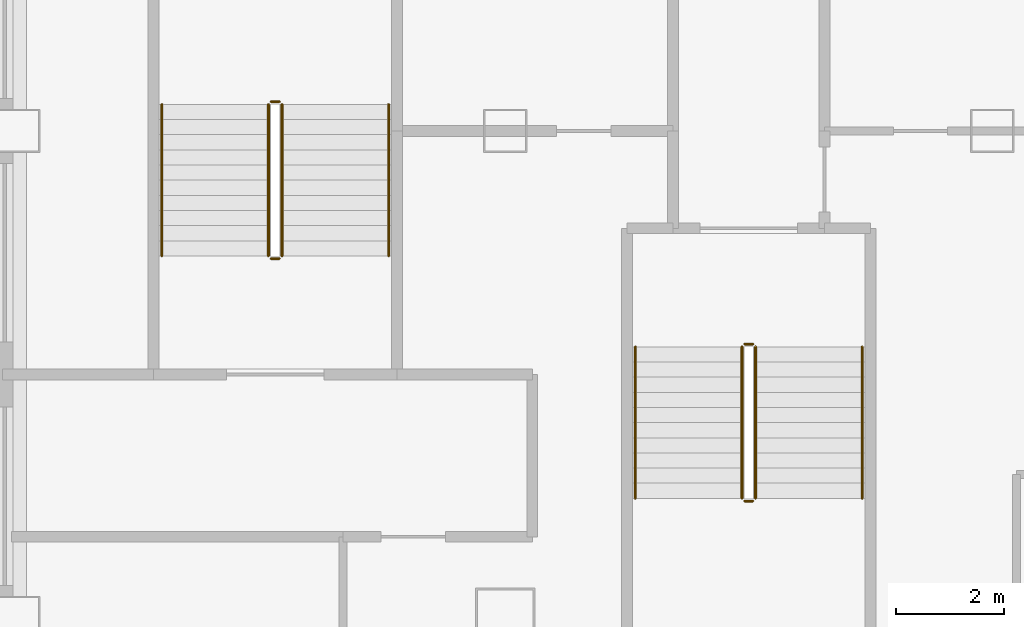
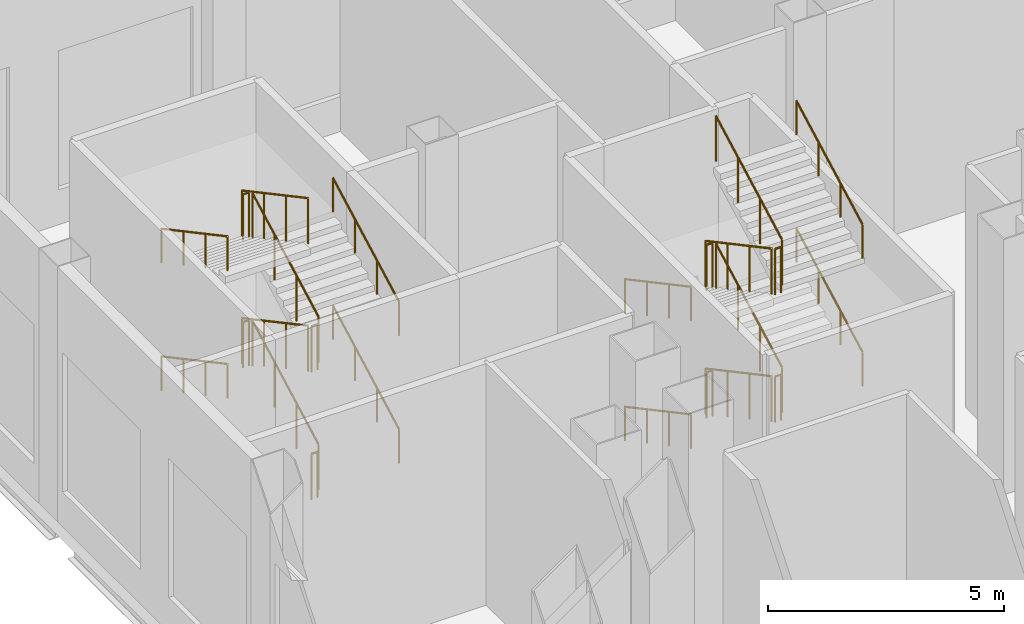
# One storey, part 24 of 26: 24 railings.
"""IFC4 building model written with IfcOpenShell, lengths in metres."""

from ifc_helpers import new_model, si_unit, direction, frame, origin, origin_2d, place, context, subcontext, project, spatial, circle, extrude, material, type_object, element, save


model = new_model("IFC4")

# Units and contexts
model_context = context("Model", 3, precision=1e-05, world=origin(), true_north=direction((0.0, 1.0)))
body_context = subcontext(model_context, "Body", "Model", "MODEL_VIEW")
ifc_project = project(units=[si_unit("LENGTHUNIT", "METRE"), si_unit("AREAUNIT", "SQUARE_METRE"), si_unit("VOLUMEUNIT", "CUBIC_METRE"), si_unit("PLANEANGLEUNIT", "RADIAN"), si_unit("MASSUNIT", "GRAM", prefix="KILO")], contexts=[model_context])

# Site, building, storey
site_placement = place(None, origin())
site = spatial("IfcSite", under=ifc_project, at=site_placement, CompositionType="ELEMENT")
building_placement = place(site_placement, origin())
building = spatial("IfcBuilding", under=site, at=building_placement, Name="Caravel Reach Hotel and Residences", CompositionType="ELEMENT")
storey_placement = place(building_placement, frame((0.0, 0.0, 17.39990234375)))
storey = spatial("IfcBuildingStorey", under=building, at=storey_placement, Name="L03", CompositionType="ELEMENT", Elevation=17.39990234375)

# Railings
ifc_material_1 = material(Name="Steel balustrade with glass infill", Category="steel")
railing_type_1 = type_object("IfcRailingType", Name="Guard 1200", PredefinedType="GUARDRAIL", material=ifc_material_1)
railing_1_placement = place(storey_placement, frame((8.875, 41.010009765625, 0.150146484375)))
element("IfcRailing", 1, at=railing_1_placement, inside=storey, type_object=railing_type_1, Name="L03 ST-P1 stair guard 1", PredefinedType="GUARDRAIL", context=body_context, shape_type="SweptSolid", body=[
    extrude(circle(Radius=0.02392578125, at=origin_2d()), frame((0.0, 0.0, 1.17578125), z_axis=(0.0, -0.881483397762, 0.472215014025), x_axis=(1.0, 0.0, 0.0)), (0.0, 0.0, 1.0), 3.176513671875),
    extrude(circle(Radius=0.02099609375, at=origin_2d()), origin(), (0.0, 0.0, 1.0), 1.15185546875),
    extrude(circle(Radius=0.02099609375, at=origin_2d()), frame((0.0, -0.933349609375, 0.5)), (0.0, 0.0, 1.0), 1.15185546875),
    extrude(circle(Radius=0.02099609375, at=origin_2d()), frame((0.0, -1.86669921875, 1.0)), (0.0, 0.0, 1.0), 1.15185546875),
    extrude(circle(Radius=0.02099609375, at=origin_2d()), frame((0.0, -2.800048828125, 1.5)), (0.0, 0.0, 1.0), 1.15185546875),
])
railing_2_placement = place(storey_placement, frame((8.925048828125, 38.159912109375, 1.650146484375)))
element("IfcRailing", 2, at=railing_2_placement, inside=storey, type_object=railing_type_1, Name="L03 ST-P1 stair guard 2", PredefinedType="GUARDRAIL", context=body_context, shape_type="SweptSolid", body=[
    extrude(circle(Radius=0.02392578125, at=origin_2d()), frame((0.0, 0.0, 1.17578125), z_axis=(1.0, 0.0, 0.0), x_axis=(0.0, 1.0, 0.0)), (0.0, 0.0, 1.0), 0.14990234375),
    extrude(circle(Radius=0.02099609375, at=origin_2d()), origin(), (0.0, 0.0, 1.0), 1.15185546875),
    extrude(circle(Radius=0.02099609375, at=origin_2d()), frame((0.14990234375, 0.0, 0.0)), (0.0, 0.0, 1.0), 1.15185546875),
])
railing_3_placement = place(storey_placement, frame((9.125, 38.2099609375, 1.800048828125)))
element("IfcRailing", 3, at=railing_3_placement, inside=storey, type_object=railing_type_1, Name="L03 ST-P1 stair guard 3", PredefinedType="GUARDRAIL", context=body_context, shape_type="SweptSolid", body=[
    extrude(circle(Radius=0.02392578125, at=origin_2d()), frame((0.0, 0.0, 1.17578125), z_axis=(0.0, 0.881483397762, 0.472215014025), x_axis=(-1.0, 0.0, 0.0)), (0.0, 0.0, 1.0), 3.176513671875),
    extrude(circle(Radius=0.02099609375, at=origin_2d()), origin(), (0.0, 0.0, 1.0), 1.15185546875),
    extrude(circle(Radius=0.02099609375, at=origin_2d()), frame((0.0, 0.933349609375, 0.5)), (0.0, 0.0, 1.0), 1.15185546875),
    extrude(circle(Radius=0.02099609375, at=origin_2d()), frame((0.0, 1.86669921875, 1.0)), (0.0, 0.0, 1.0), 1.15185546875),
    extrude(circle(Radius=0.02099609375, at=origin_2d()), frame((0.0, 2.800048828125, 1.5)), (0.0, 0.0, 1.0), 1.15185546875),
])
railing_4_placement = place(storey_placement, frame((8.925048828125, 41.06005859375, 3.300048828125)))
element("IfcRailing", 4, at=railing_4_placement, inside=storey, type_object=railing_type_1, Name="L03 ST-P1 stair guard 4", PredefinedType="GUARDRAIL", context=body_context, shape_type="SweptSolid", body=[
    extrude(circle(Radius=0.02392578125, at=origin_2d()), frame((0.0, 0.0, 1.17578125), z_axis=(1.0, 0.0, 0.0), x_axis=(0.0, 1.0, 0.0)), (0.0, 0.0, 1.0), 0.14990234375),
    extrude(circle(Radius=0.02099609375, at=origin_2d()), origin(), (0.0, 0.0, 1.0), 1.15185546875),
    extrude(circle(Radius=0.02099609375, at=origin_2d()), frame((0.14990234375, 0.0, 0.0)), (0.0, 0.0, 1.0), 1.15185546875),
])
railing_5_placement = place(storey_placement, frame((8.875, 41.010009765625, 3.4501953125)))
element("IfcRailing", 5, at=railing_5_placement, inside=storey, type_object=railing_type_1, Name="L03 ST-P1 stair guard 5", PredefinedType="GUARDRAIL", context=body_context, shape_type="SweptSolid", body=[
    extrude(circle(Radius=0.02392578125, at=origin_2d()), frame((0.0, 0.0, 1.17578125), z_axis=(0.0, -0.881483397762, 0.472215014025), x_axis=(1.0, 0.0, 0.0)), (0.0, 0.0, 1.0), 3.176513671875),
    extrude(circle(Radius=0.02099609375, at=origin_2d()), origin(), (0.0, 0.0, 1.0), 1.15185546875),
    extrude(circle(Radius=0.02099609375, at=origin_2d()), frame((0.0, -0.933349609375, 0.5)), (0.0, 0.0, 1.0), 1.15185546875),
    extrude(circle(Radius=0.02099609375, at=origin_2d()), frame((0.0, -1.86669921875, 1.0)), (0.0, 0.0, 1.0), 1.15185546875),
    extrude(circle(Radius=0.02099609375, at=origin_2d()), frame((0.0, -2.800048828125, 1.5)), (0.0, 0.0, 1.0), 1.15185546875),
])
railing_6_placement = place(storey_placement, frame((8.925048828125, 38.159912109375, 4.9501953125)))
element("IfcRailing", 6, at=railing_6_placement, inside=storey, type_object=railing_type_1, Name="L03 ST-P1 stair guard 6", PredefinedType="GUARDRAIL", context=body_context, shape_type="SweptSolid", body=[
    extrude(circle(Radius=0.02392578125, at=origin_2d()), frame((0.0, 0.0, 1.17578125), z_axis=(1.0, 0.0, 0.0), x_axis=(0.0, 1.0, 0.0)), (0.0, 0.0, 1.0), 0.14990234375),
    extrude(circle(Radius=0.02099609375, at=origin_2d()), origin(), (0.0, 0.0, 1.0), 1.15185546875),
    extrude(circle(Radius=0.02099609375, at=origin_2d()), frame((0.14990234375, 0.0, 0.0)), (0.0, 0.0, 1.0), 1.15185546875),
])
railing_7_placement = place(storey_placement, frame((9.125, 38.2099609375, 5.10009765625)))
element("IfcRailing", 7, at=railing_7_placement, inside=storey, type_object=railing_type_1, Name="L03 ST-P1 stair guard 7", PredefinedType="GUARDRAIL", context=body_context, shape_type="SweptSolid", body=[
    extrude(circle(Radius=0.02392578125, at=origin_2d()), frame((0.0, 0.0, 1.17578125), z_axis=(0.0, 0.881483397762, 0.472215014025), x_axis=(-1.0, 0.0, 0.0)), (0.0, 0.0, 1.0), 3.176513671875),
    extrude(circle(Radius=0.02099609375, at=origin_2d()), origin(), (0.0, 0.0, 1.0), 1.15185546875),
    extrude(circle(Radius=0.02099609375, at=origin_2d()), frame((0.0, 0.933349609375, 0.5)), (0.0, 0.0, 1.0), 1.15185546875),
    extrude(circle(Radius=0.02099609375, at=origin_2d()), frame((0.0, 1.86669921875, 1.0)), (0.0, 0.0, 1.0), 1.15185546875),
    extrude(circle(Radius=0.02099609375, at=origin_2d()), frame((0.0, 2.800048828125, 1.5)), (0.0, 0.0, 1.0), 1.15185546875),
])
railing_8_placement = place(storey_placement, frame((8.925048828125, 41.06005859375, 0.0)))
element("IfcRailing", 8, at=railing_8_placement, inside=storey, type_object=railing_type_1, Name="L03 ST-P1 stair guard 8", PredefinedType="GUARDRAIL", context=body_context, shape_type="SweptSolid", body=[
    extrude(circle(Radius=0.02392578125, at=origin_2d()), frame((0.0, 0.0, 1.17578125), z_axis=(1.0, 0.0, 0.0), x_axis=(0.0, 1.0, 0.0)), (0.0, 0.0, 1.0), 0.14990234375),
    extrude(circle(Radius=0.02099609375, at=origin_2d()), origin(), (0.0, 0.0, 1.0), 1.15185546875),
    extrude(circle(Radius=0.02099609375, at=origin_2d()), frame((0.14990234375, 0.0, 0.0)), (0.0, 0.0, 1.0), 1.15185546875),
])
railing_9_placement = place(storey_placement, frame((0.375, 42.68994140625, 0.150146484375)))
element("IfcRailing", 9, at=railing_9_placement, inside=storey, type_object=railing_type_1, Name="L03 ST-P5 stair guard 1", PredefinedType="GUARDRAIL", context=body_context, shape_type="SweptSolid", body=[
    extrude(circle(Radius=0.02392578125, at=origin_2d()), frame((0.0, 0.0, 1.17578125), z_axis=(0.0, 0.881483397762, 0.472215014025), x_axis=(-1.0, 0.0, 0.0)), (0.0, 0.0, 1.0), 3.176513671875),
    extrude(circle(Radius=0.02099609375, at=origin_2d()), origin(), (0.0, 0.0, 1.0), 1.15185546875),
    extrude(circle(Radius=0.02099609375, at=origin_2d()), frame((0.0, 0.933349609375, 0.5)), (0.0, 0.0, 1.0), 1.15185546875),
    extrude(circle(Radius=0.02099609375, at=origin_2d()), frame((0.0, 1.86669921875, 1.0)), (0.0, 0.0, 1.0), 1.15185546875),
    extrude(circle(Radius=0.02099609375, at=origin_2d()), frame((0.0, 2.800048828125, 1.5)), (0.0, 0.0, 1.0), 1.15185546875),
])
railing_10_placement = place(storey_placement, frame((0.324951171875, 45.5400390625, 1.650146484375)))
element("IfcRailing", 10, at=railing_10_placement, inside=storey, type_object=railing_type_1, Name="L03 ST-P5 stair guard 2", PredefinedType="GUARDRAIL", context=body_context, shape_type="SweptSolid", body=[
    extrude(circle(Radius=0.02392578125, at=origin_2d()), frame((0.0, 0.0, 1.17578125), z_axis=(-1.0, 0.0, 0.0), x_axis=(0.0, -1.0, 0.0)), (0.0, 0.0, 1.0), 0.14990234375),
    extrude(circle(Radius=0.02099609375, at=origin_2d()), origin(), (0.0, 0.0, 1.0), 1.15185546875),
    extrude(circle(Radius=0.02099609375, at=origin_2d()), frame((-0.14990234375, 0.0, 0.0)), (0.0, 0.0, 1.0), 1.15185546875),
])
railing_11_placement = place(storey_placement, frame((0.125, 45.489990234375, 1.800048828125)))
element("IfcRailing", 11, at=railing_11_placement, inside=storey, type_object=railing_type_1, Name="L03 ST-P5 stair guard 3", PredefinedType="GUARDRAIL", context=body_context, shape_type="SweptSolid", body=[
    extrude(circle(Radius=0.02392578125, at=origin_2d()), frame((0.0, 0.0, 1.17578125), z_axis=(0.0, -0.881483397762, 0.472215014025), x_axis=(1.0, 0.0, 0.0)), (0.0, 0.0, 1.0), 3.176513671875),
    extrude(circle(Radius=0.02099609375, at=origin_2d()), origin(), (0.0, 0.0, 1.0), 1.15185546875),
    extrude(circle(Radius=0.02099609375, at=origin_2d()), frame((0.0, -0.933349609375, 0.5)), (0.0, 0.0, 1.0), 1.15185546875),
    extrude(circle(Radius=0.02099609375, at=origin_2d()), frame((0.0, -1.86669921875, 1.0)), (0.0, 0.0, 1.0), 1.15185546875),
    extrude(circle(Radius=0.02099609375, at=origin_2d()), frame((0.0, -2.800048828125, 1.5)), (0.0, 0.0, 1.0), 1.15185546875),
])
railing_12_placement = place(storey_placement, frame((0.324951171875, 42.639892578125, 3.300048828125)))
element("IfcRailing", 12, at=railing_12_placement, inside=storey, type_object=railing_type_1, Name="L03 ST-P5 stair guard 4", PredefinedType="GUARDRAIL", context=body_context, shape_type="SweptSolid", body=[
    extrude(circle(Radius=0.02392578125, at=origin_2d()), frame((0.0, 0.0, 1.17578125), z_axis=(-1.0, 0.0, 0.0), x_axis=(0.0, -1.0, 0.0)), (0.0, 0.0, 1.0), 0.14990234375),
    extrude(circle(Radius=0.02099609375, at=origin_2d()), origin(), (0.0, 0.0, 1.0), 1.15185546875),
    extrude(circle(Radius=0.02099609375, at=origin_2d()), frame((-0.14990234375, 0.0, 0.0)), (0.0, 0.0, 1.0), 1.15185546875),
])
railing_13_placement = place(storey_placement, frame((0.375, 42.68994140625, 3.4501953125)))
element("IfcRailing", 13, at=railing_13_placement, inside=storey, type_object=railing_type_1, Name="L03 ST-P5 stair guard 5", PredefinedType="GUARDRAIL", context=body_context, shape_type="SweptSolid", body=[
    extrude(circle(Radius=0.02392578125, at=origin_2d()), frame((0.0, 0.0, 1.17578125), z_axis=(0.0, 0.881483397762, 0.472215014025), x_axis=(-1.0, 0.0, 0.0)), (0.0, 0.0, 1.0), 3.176513671875),
    extrude(circle(Radius=0.02099609375, at=origin_2d()), origin(), (0.0, 0.0, 1.0), 1.15185546875),
    extrude(circle(Radius=0.02099609375, at=origin_2d()), frame((0.0, 0.933349609375, 0.5)), (0.0, 0.0, 1.0), 1.15185546875),
    extrude(circle(Radius=0.02099609375, at=origin_2d()), frame((0.0, 1.86669921875, 1.0)), (0.0, 0.0, 1.0), 1.15185546875),
    extrude(circle(Radius=0.02099609375, at=origin_2d()), frame((0.0, 2.800048828125, 1.5)), (0.0, 0.0, 1.0), 1.15185546875),
])
railing_14_placement = place(storey_placement, frame((0.324951171875, 45.5400390625, 4.9501953125)))
element("IfcRailing", 14, at=railing_14_placement, inside=storey, type_object=railing_type_1, Name="L03 ST-P5 stair guard 6", PredefinedType="GUARDRAIL", context=body_context, shape_type="SweptSolid", body=[
    extrude(circle(Radius=0.02392578125, at=origin_2d()), frame((0.0, 0.0, 1.17578125), z_axis=(-1.0, 0.0, 0.0), x_axis=(0.0, -1.0, 0.0)), (0.0, 0.0, 1.0), 0.14990234375),
    extrude(circle(Radius=0.02099609375, at=origin_2d()), origin(), (0.0, 0.0, 1.0), 1.15185546875),
    extrude(circle(Radius=0.02099609375, at=origin_2d()), frame((-0.14990234375, 0.0, 0.0)), (0.0, 0.0, 1.0), 1.15185546875),
])
railing_15_placement = place(storey_placement, frame((0.125, 45.489990234375, 5.10009765625)))
element("IfcRailing", 15, at=railing_15_placement, inside=storey, type_object=railing_type_1, Name="L03 ST-P5 stair guard 7", PredefinedType="GUARDRAIL", context=body_context, shape_type="SweptSolid", body=[
    extrude(circle(Radius=0.02392578125, at=origin_2d()), frame((0.0, 0.0, 1.17578125), z_axis=(0.0, -0.881483397762, 0.472215014025), x_axis=(1.0, 0.0, 0.0)), (0.0, 0.0, 1.0), 3.176513671875),
    extrude(circle(Radius=0.02099609375, at=origin_2d()), origin(), (0.0, 0.0, 1.0), 1.15185546875),
    extrude(circle(Radius=0.02099609375, at=origin_2d()), frame((0.0, -0.933349609375, 0.5)), (0.0, 0.0, 1.0), 1.15185546875),
    extrude(circle(Radius=0.02099609375, at=origin_2d()), frame((0.0, -1.86669921875, 1.0)), (0.0, 0.0, 1.0), 1.15185546875),
    extrude(circle(Radius=0.02099609375, at=origin_2d()), frame((0.0, -2.800048828125, 1.5)), (0.0, 0.0, 1.0), 1.15185546875),
])
railing_16_placement = place(storey_placement, frame((0.324951171875, 42.639892578125, 0.0)))
element("IfcRailing", 16, at=railing_16_placement, inside=storey, type_object=railing_type_1, Name="L03 ST-P5 stair guard 8", PredefinedType="GUARDRAIL", context=body_context, shape_type="SweptSolid", body=[
    extrude(circle(Radius=0.02392578125, at=origin_2d()), frame((0.0, 0.0, 1.17578125), z_axis=(-1.0, 0.0, 0.0), x_axis=(0.0, -1.0, 0.0)), (0.0, 0.0, 1.0), 0.14990234375),
    extrude(circle(Radius=0.02099609375, at=origin_2d()), origin(), (0.0, 0.0, 1.0), 1.15185546875),
    extrude(circle(Radius=0.02099609375, at=origin_2d()), frame((-0.14990234375, 0.0, 0.0)), (0.0, 0.0, 1.0), 1.15185546875),
])
ifc_material_2 = material(Name="Stainless steel handrail", Category="steel")
railing_type_2 = type_object("IfcRailingType", Name="Handrail 900", PredefinedType="HANDRAIL", material=ifc_material_2)
railing_17_placement = place(storey_placement, frame((6.905029296875, 41.010009765625, 0.150146484375)))
element("IfcRailing", 17, at=railing_17_placement, inside=storey, type_object=railing_type_2, Name="L03 ST-P1 stair handrail 1", PredefinedType="HANDRAIL", context=body_context, shape_type="SweptSolid", body=[
    extrude(circle(Radius=0.02392578125, at=origin_2d()), frame((0.0, 0.0, 0.8759765625), z_axis=(0.0, -0.881483397762, 0.472215014025), x_axis=(1.0, 0.0, 0.0)), (0.0, 0.0, 1.0), 3.176513671875),
    extrude(circle(Radius=0.02099609375, at=origin_2d()), origin(), (0.0, 0.0, 1.0), 0.851806640625),
    extrude(circle(Radius=0.02099609375, at=origin_2d()), frame((0.0, -0.933349609375, 0.5)), (0.0, 0.0, 1.0), 0.851806640625),
    extrude(circle(Radius=0.02099609375, at=origin_2d()), frame((0.0, -1.86669921875, 1.0)), (0.0, 0.0, 1.0), 0.851806640625),
    extrude(circle(Radius=0.02099609375, at=origin_2d()), frame((0.0, -2.800048828125, 1.5)), (0.0, 0.0, 1.0), 0.851806640625),
])
railing_18_placement = place(storey_placement, frame((11.094970703125, 38.2099609375, 1.800048828125)))
element("IfcRailing", 18, at=railing_18_placement, inside=storey, type_object=railing_type_2, Name="L03 ST-P1 stair handrail 2", PredefinedType="HANDRAIL", context=body_context, shape_type="SweptSolid", body=[
    extrude(circle(Radius=0.02392578125, at=origin_2d()), frame((0.0, 0.0, 0.8759765625), z_axis=(0.0, 0.881483397762, 0.472215014025), x_axis=(-1.0, 0.0, 0.0)), (0.0, 0.0, 1.0), 3.176513671875),
    extrude(circle(Radius=0.02099609375, at=origin_2d()), origin(), (0.0, 0.0, 1.0), 0.851806640625),
    extrude(circle(Radius=0.02099609375, at=origin_2d()), frame((0.0, 0.933349609375, 0.5)), (0.0, 0.0, 1.0), 0.851806640625),
    extrude(circle(Radius=0.02099609375, at=origin_2d()), frame((0.0, 1.86669921875, 1.0)), (0.0, 0.0, 1.0), 0.851806640625),
    extrude(circle(Radius=0.02099609375, at=origin_2d()), frame((0.0, 2.800048828125, 1.5)), (0.0, 0.0, 1.0), 0.851806640625),
])
railing_19_placement = place(storey_placement, frame((6.905029296875, 41.010009765625, 3.4501953125)))
element("IfcRailing", 19, at=railing_19_placement, inside=storey, type_object=railing_type_2, Name="L03 ST-P1 stair handrail 3", PredefinedType="HANDRAIL", context=body_context, shape_type="SweptSolid", body=[
    extrude(circle(Radius=0.02392578125, at=origin_2d()), frame((0.0, 0.0, 0.8759765625), z_axis=(0.0, -0.881483397762, 0.472215014025), x_axis=(1.0, 0.0, 0.0)), (0.0, 0.0, 1.0), 3.176513671875),
    extrude(circle(Radius=0.02099609375, at=origin_2d()), origin(), (0.0, 0.0, 1.0), 0.851806640625),
    extrude(circle(Radius=0.02099609375, at=origin_2d()), frame((0.0, -0.933349609375, 0.5)), (0.0, 0.0, 1.0), 0.851806640625),
    extrude(circle(Radius=0.02099609375, at=origin_2d()), frame((0.0, -1.86669921875, 1.0)), (0.0, 0.0, 1.0), 0.851806640625),
    extrude(circle(Radius=0.02099609375, at=origin_2d()), frame((0.0, -2.800048828125, 1.5)), (0.0, 0.0, 1.0), 0.851806640625),
])
for number, where, name in (
    (20, (11.094970703125, 38.2099609375, 5.10009765625), "L03 ST-P1 stair handrail 4"),
    (21, (2.344970703125, 42.68994140625, 0.150146484375), "L03 ST-P5 stair handrail 1"),
):
    element("IfcRailing", number, at=place(storey_placement, frame(where)), inside=storey, type_object=railing_type_2, Name=name, PredefinedType="HANDRAIL", context=body_context, shape_type="SweptSolid", body=[
        extrude(circle(Radius=0.02392578125, at=origin_2d()), frame((0.0, 0.0, 0.8759765625), z_axis=(0.0, 0.881483397762, 0.472215014025), x_axis=(-1.0, 0.0, 0.0)), (0.0, 0.0, 1.0), 3.176513671875),
        extrude(circle(Radius=0.02099609375, at=origin_2d()), origin(), (0.0, 0.0, 1.0), 0.851806640625),
        extrude(circle(Radius=0.02099609375, at=origin_2d()), frame((0.0, 0.933349609375, 0.5)), (0.0, 0.0, 1.0), 0.851806640625),
        extrude(circle(Radius=0.02099609375, at=origin_2d()), frame((0.0, 1.86669921875, 1.0)), (0.0, 0.0, 1.0), 0.851806640625),
        extrude(circle(Radius=0.02099609375, at=origin_2d()), frame((0.0, 2.800048828125, 1.5)), (0.0, 0.0, 1.0), 0.851806640625),
    ])
railing_20_placement = place(storey_placement, frame((-1.844970703125, 45.489990234375, 1.800048828125)))
element("IfcRailing", 22, at=railing_20_placement, inside=storey, type_object=railing_type_2, Name="L03 ST-P5 stair handrail 2", PredefinedType="HANDRAIL", context=body_context, shape_type="SweptSolid", body=[
    extrude(circle(Radius=0.02392578125, at=origin_2d()), frame((0.0, 0.0, 0.8759765625), z_axis=(0.0, -0.881483397762, 0.472215014025), x_axis=(1.0, 0.0, 0.0)), (0.0, 0.0, 1.0), 3.176513671875),
    extrude(circle(Radius=0.02099609375, at=origin_2d()), origin(), (0.0, 0.0, 1.0), 0.851806640625),
    extrude(circle(Radius=0.02099609375, at=origin_2d()), frame((0.0, -0.933349609375, 0.5)), (0.0, 0.0, 1.0), 0.851806640625),
    extrude(circle(Radius=0.02099609375, at=origin_2d()), frame((0.0, -1.86669921875, 1.0)), (0.0, 0.0, 1.0), 0.851806640625),
    extrude(circle(Radius=0.02099609375, at=origin_2d()), frame((0.0, -2.800048828125, 1.5)), (0.0, 0.0, 1.0), 0.851806640625),
])
railing_21_placement = place(storey_placement, frame((2.344970703125, 42.68994140625, 3.4501953125)))
element("IfcRailing", 23, at=railing_21_placement, inside=storey, type_object=railing_type_2, Name="L03 ST-P5 stair handrail 3", PredefinedType="HANDRAIL", context=body_context, shape_type="SweptSolid", body=[
    extrude(circle(Radius=0.02392578125, at=origin_2d()), frame((0.0, 0.0, 0.8759765625), z_axis=(0.0, 0.881483397762, 0.472215014025), x_axis=(-1.0, 0.0, 0.0)), (0.0, 0.0, 1.0), 3.176513671875),
    extrude(circle(Radius=0.02099609375, at=origin_2d()), origin(), (0.0, 0.0, 1.0), 0.851806640625),
    extrude(circle(Radius=0.02099609375, at=origin_2d()), frame((0.0, 0.933349609375, 0.5)), (0.0, 0.0, 1.0), 0.851806640625),
    extrude(circle(Radius=0.02099609375, at=origin_2d()), frame((0.0, 1.86669921875, 1.0)), (0.0, 0.0, 1.0), 0.851806640625),
    extrude(circle(Radius=0.02099609375, at=origin_2d()), frame((0.0, 2.800048828125, 1.5)), (0.0, 0.0, 1.0), 0.851806640625),
])
railing_22_placement = place(storey_placement, frame((-1.844970703125, 45.489990234375, 5.10009765625)))
element("IfcRailing", 24, at=railing_22_placement, inside=storey, type_object=railing_type_2, Name="L03 ST-P5 stair handrail 4", PredefinedType="HANDRAIL", context=body_context, shape_type="SweptSolid", body=[
    extrude(circle(Radius=0.02392578125, at=origin_2d()), frame((0.0, 0.0, 0.8759765625), z_axis=(0.0, -0.881483397762, 0.472215014025), x_axis=(1.0, 0.0, 0.0)), (0.0, 0.0, 1.0), 3.176513671875),
    extrude(circle(Radius=0.02099609375, at=origin_2d()), origin(), (0.0, 0.0, 1.0), 0.851806640625),
    extrude(circle(Radius=0.02099609375, at=origin_2d()), frame((0.0, -0.933349609375, 0.5)), (0.0, 0.0, 1.0), 0.851806640625),
    extrude(circle(Radius=0.02099609375, at=origin_2d()), frame((0.0, -1.86669921875, 1.0)), (0.0, 0.0, 1.0), 0.851806640625),
    extrude(circle(Radius=0.02099609375, at=origin_2d()), frame((0.0, -2.800048828125, 1.5)), (0.0, 0.0, 1.0), 0.851806640625),
])

save(model, "model.ifc")
